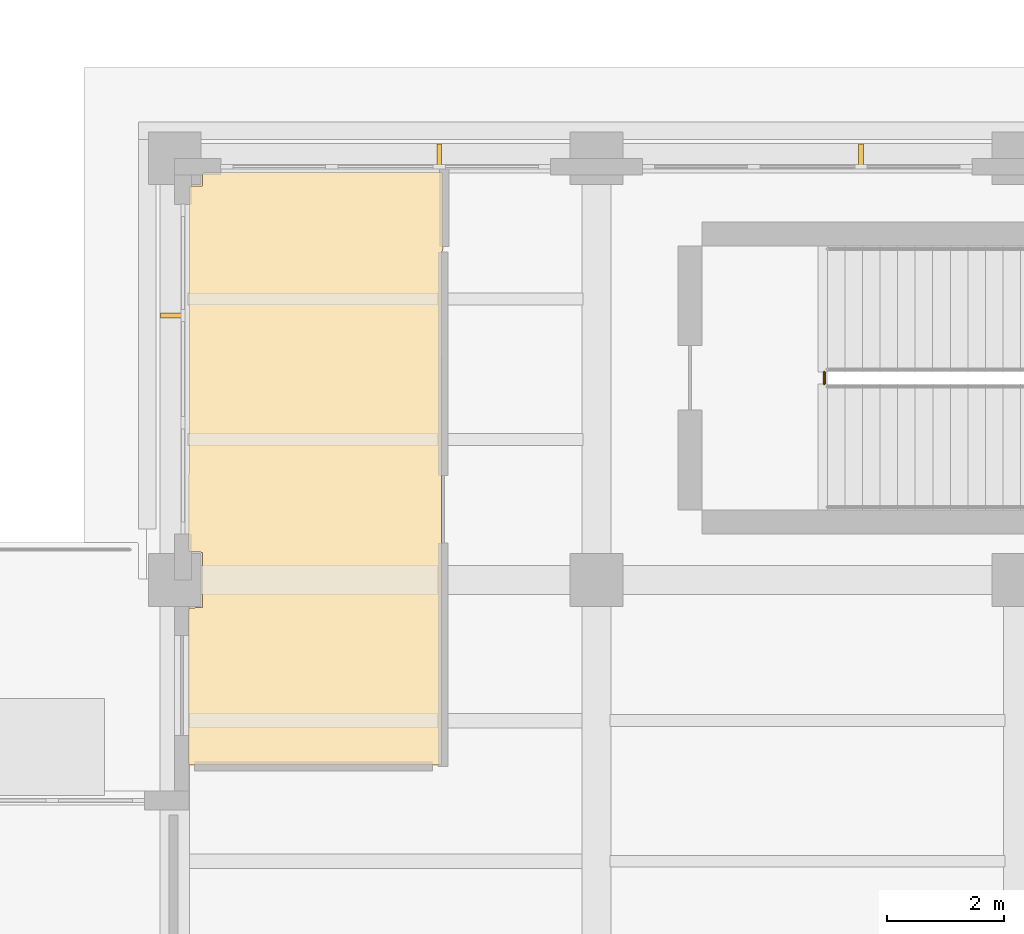
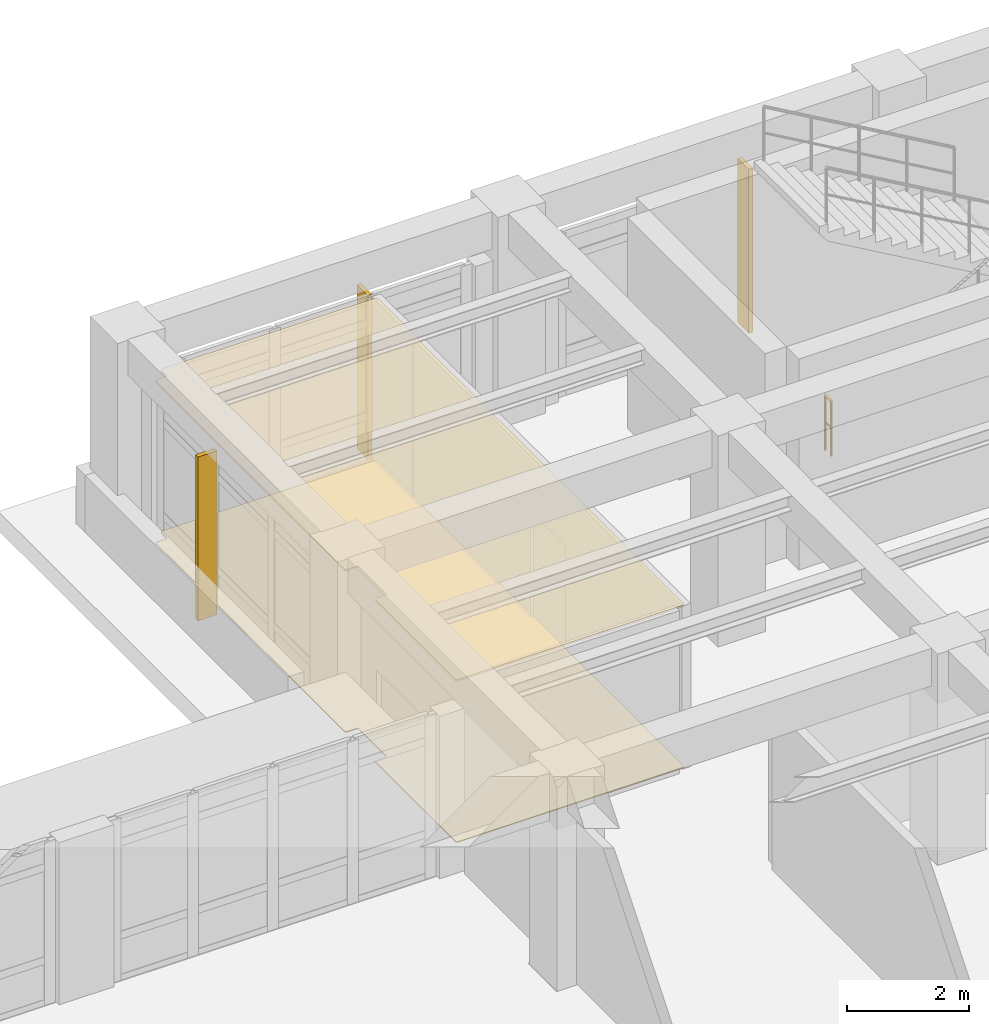
# One storey, part 63 of 69: 3 shading devices, 2 coverings, 1 railing.
"""IFC4 building model written with IfcOpenShell, lengths in metres."""

from ifc_helpers import new_model, si_unit, direction, frame, origin, origin_2d, place, context, subcontext, project, spatial, polyline, rectangle, circle, outline, extrude, material, layer, layer_set, material_profile, profile_set, type_object, element, save


model = new_model("IFC4")

# Units and contexts
model_context = context("Model", 3, precision=1e-05, world=origin(), true_north=direction((0.0, 1.0)))
body_context = subcontext(model_context, "Body", "Model", "MODEL_VIEW")
ifc_project = project(units=[si_unit("LENGTHUNIT", "METRE"), si_unit("AREAUNIT", "SQUARE_METRE"), si_unit("VOLUMEUNIT", "CUBIC_METRE"), si_unit("PLANEANGLEUNIT", "RADIAN"), si_unit("MASSUNIT", "GRAM", prefix="KILO")], contexts=[model_context])

# Site, building, storey
site_placement = place(None, origin())
site = spatial("IfcSite", under=ifc_project, at=site_placement, CompositionType="ELEMENT")
building_placement = place(site_placement, origin())
building = spatial("IfcBuilding", under=site, at=building_placement, Name="Solenvale Faculty of Natural Sciences", CompositionType="ELEMENT")
storey_placement = place(building_placement, frame((0.0, 0.0, 4.5)))
storey = spatial("IfcBuildingStorey", under=building, at=storey_placement, Name="L01", CompositionType="ELEMENT", Elevation=4.5)

# Coverings
ifc_material_1 = material(Name="Oak slatted acoustic timber ceiling", Category="wood")
ifc_layer_1 = layer(ifc_material_1, 0.034912109375)
ifc_layer_set_1 = layer_set([ifc_layer_1], Name="Oak slatted acoustic timber ceiling")
covering_type_1 = type_object("IfcCoveringType", Name="COV-CEIL-WD35", PredefinedType="CEILING", material=ifc_layer_set_1)
covering_1_placement = place(storey_placement, frame((0.0, 0.0, 3.22509765625)))
element("IfcCovering", 1, at=covering_1_placement, inside=storey, type_object=covering_type_1, Name="L01 Learning Commons Acoustic Ceiling", PredefinedType="CEILING", context=body_context, shape_type="SweptSolid", body=[
    extrude(outline(polyline([(119.780029296875, 56.049072265625), (119.760009765625, 56.0), (119.756103515625, 47.256103515625), (119.72998046875, 47.239990234375), (115.4560546875, 47.243896484375), (115.43994140625, 47.27001953125), (115.43994140625, 49.89794921875), (115.464111328125, 49.924072265625), (115.675048828125, 49.93310546875), (115.675048828125, 50.864013671875), (115.666015625, 50.875), (115.464111328125, 50.8759765625), (115.43994140625, 50.905029296875), (115.444091796875, 57.10888671875), (115.467041015625, 57.125), (115.672119140625, 57.1279296875), (115.675048828125, 57.3330078125), (115.701904296875, 57.360107421875), (119.756103515625, 57.35888671875), (119.780029296875, 57.330078125), (119.780029296875, 56.049072265625)])), origin(), (0.0, 0.0, 1.0), 0.034912109375),
])
ifc_material_2 = material(Name="Polished slate terrazzo flooring", Category="masonry")
ifc_layer_2 = layer(ifc_material_2, 0.01806640625)
ifc_layer_set_2 = layer_set([ifc_layer_2], Name="Polished slate terrazzo flooring")
covering_type_2 = type_object("IfcCoveringType", Name="COV-FLR-TRZ18", PredefinedType="FLOORING", material=ifc_layer_set_2)
covering_2_placement = place(storey_placement, origin())
element("IfcCovering", 2, at=covering_2_placement, inside=storey, type_object=covering_type_2, Name="L01 Learning Commons Floor Finish", PredefinedType="FLOORING", context=body_context, shape_type="SweptSolid", body=[
    extrude(outline(polyline([(119.780029296875, 56.049072265625), (119.760009765625, 56.0), (119.756103515625, 47.256103515625), (119.72998046875, 47.239990234375), (115.4560546875, 47.243896484375), (115.43994140625, 47.27001953125), (115.43994140625, 49.89794921875), (115.464111328125, 49.924072265625), (115.675048828125, 49.93310546875), (115.675048828125, 50.864013671875), (115.666015625, 50.875), (115.464111328125, 50.8759765625), (115.43994140625, 50.905029296875), (115.444091796875, 57.10888671875), (115.467041015625, 57.125), (115.672119140625, 57.1279296875), (115.675048828125, 57.3330078125), (115.701904296875, 57.360107421875), (119.756103515625, 57.35888671875), (119.780029296875, 57.330078125), (119.780029296875, 56.049072265625)])), origin(), (0.0, 0.0, 1.0), 0.01806640625),
])

# Railing
ifc_material_3 = material(Name="Stainless steel Grade 304", Category="steel")
railing_type = type_object("IfcRailingType", Name="RL-GRD-1100", PredefinedType="GUARDRAIL", material=ifc_material_3)
railing_placement = place(storey_placement, frame((126.2900390625, 53.75, 0.0)))
element("IfcRailing", 3, at=railing_placement, inside=storey, type_object=railing_type, Name="L01 ST-08 stair guard 4", PredefinedType="GUARDRAIL", context=body_context, shape_type="SweptSolid", body=[
    extrude(circle(Radius=0.02392578125, at=origin_2d()), frame((0.0, 0.0, 1.09619140625), z_axis=(0.0, 1.0, 0.0), x_axis=(-1.0, 0.0, 0.0)), (0.0, 0.0, 1.0), 0.199951171875),
    extrude(circle(Radius=0.01611328125, at=origin_2d()), frame((0.0, 0.0, 0.56005859375), z_axis=(0.0, 1.0, 0.0), x_axis=(-1.0, 0.0, 0.0)), (0.0, 0.0, 1.0), 0.199951171875),
    extrude(circle(Radius=0.02099609375, at=origin_2d()), origin(), (0.0, 0.0, 1.0), 1.072021484375),
    extrude(circle(Radius=0.02099609375, at=origin_2d()), frame((0.0, 0.199951171875, 0.0)), (0.0, 0.0, 1.0), 1.072021484375),
])

# Shading devices
ifc_material_4 = material(Name="Anodised bronze aluminium", Category="aluminium")
ifc_material_profile = material_profile(ifc_material_4, rectangle(XDim=0.080078125, YDim=0.360107421875, at=origin_2d()), Name="ALU-FIN-80x360")
ifc_profile_set = profile_set([ifc_material_profile], Name="Anodised bronze aluminium")
shading_device_type = type_object("IfcShadingDeviceType", Name="SHD-FIN-360", PredefinedType="JALOUSIE", material=ifc_profile_set)
for number, where, z_axis, x_axis, name in (
    (4, (126.916748046875, 57.659912109375, -0.02001953125), (0.0, 0.0, 1.0), (1.0, 0.0, 0.0), "L01 Vertical Brise-Soleil Fin 9.6"),
    (5, (119.716552734375, 57.659912109375, -0.02001953125), (0.0, 0.0, 1.0), (1.0, 0.0, 0.0), "L01 Vertical Brise-Soleil Fin 9.7"),
    (6, (115.139892578125, 54.916748046875, -0.02001953125), (0.0, 0.0, 1.0), (0.0, 1.0, 0.0), "L01 Vertical Brise-Soleil Fin 10.1"),
):
    element("IfcShadingDevice", number, at=place(storey_placement, frame(where, z_axis=z_axis, x_axis=x_axis)), inside=storey, type_object=shading_device_type, Name=name, PredefinedType="JALOUSIE", context=body_context, shape_type="SweptSolid", body=[
        extrude(rectangle(XDim=0.080078125, YDim=0.360107421875, at=origin_2d()), origin(), (0.0, 0.0, 1.0), 3.280029296875),
    ])

save(model, "model.ifc")
